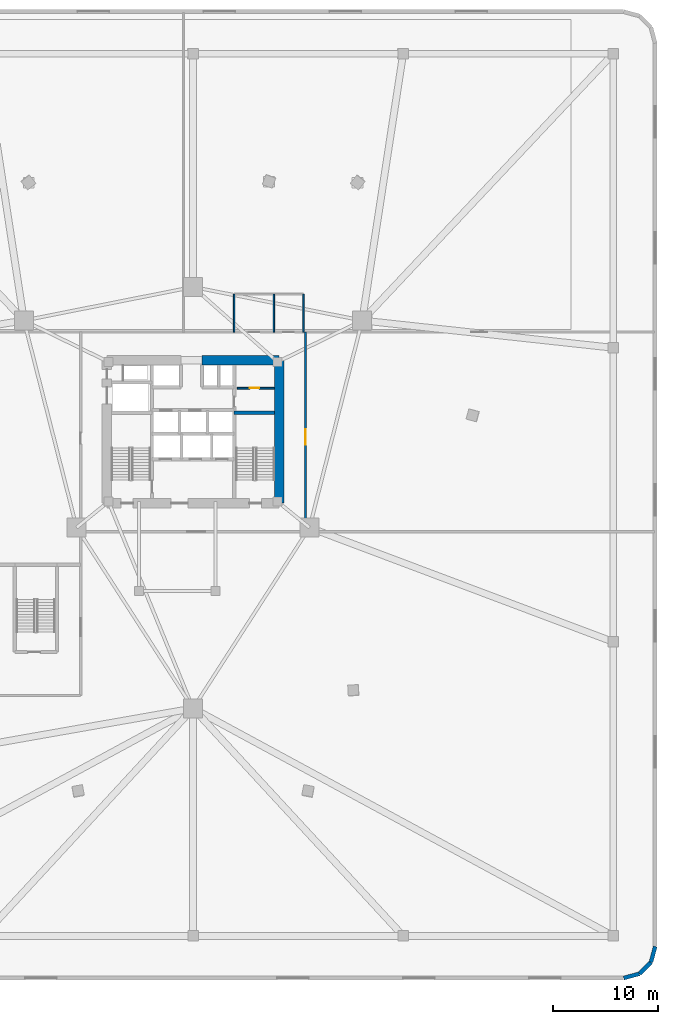
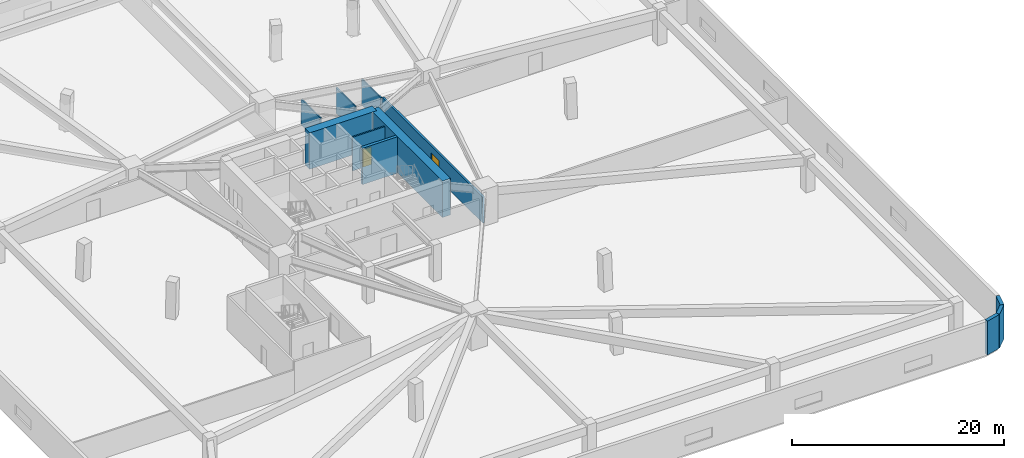
# One storey, part 7 of 10: 11 walls, 2 doors, 2 openings.
"""IFC4 building model written with IfcOpenShell, lengths in metres."""

from ifc_helpers import new_model, si_unit, direction, frame, frame_2d, origin, place, context, subcontext, project, spatial, rectangle, extrude, material, layer, layer_set, type_object, element, fill, save


model = new_model("IFC4")

# Units and contexts
model_context = context("Model", 3, precision=1e-05, world=origin(), true_north=direction((0.0, 1.0)))
body_context = subcontext(model_context, "Body", "Model", "MODEL_VIEW")
ifc_project = project(units=[si_unit("LENGTHUNIT", "METRE"), si_unit("AREAUNIT", "SQUARE_METRE"), si_unit("VOLUMEUNIT", "CUBIC_METRE"), si_unit("PLANEANGLEUNIT", "RADIAN"), si_unit("MASSUNIT", "GRAM", prefix="KILO")], contexts=[model_context])

# Site, building, storey
site_placement = place(None, origin())
site = spatial("IfcSite", under=ifc_project, at=site_placement, CompositionType="ELEMENT")
building_placement = place(site_placement, origin())
building = spatial("IfcBuilding", under=site, at=building_placement, Name="Talyreon Biosciences Tower", CompositionType="ELEMENT")
storey_placement = place(building_placement, frame((0.0, 0.0, 14.39990234375)))
storey = spatial("IfcBuildingStorey", under=building, at=storey_placement, Name="L03", CompositionType="ELEMENT", Elevation=14.39990234375)

# Walls
ifc_material_1 = material(Name="Concrete C50/60", Category="concrete")
ifc_layer_1 = layer(ifc_material_1, 0.320068359375)
ifc_layer_set_1 = layer_set([ifc_layer_1], Name="Concrete C50/60")
wall_type_1 = type_object("IfcWallType", Name="CoreShearWall_320", PredefinedType="SHEAR", material=ifc_layer_set_1)
wall_1_placement = place(storey_placement, frame((69.909912109375, 69.81005859375, 0.0), z_axis=(0.0, 0.0, 1.0), x_axis=(1.0, 0.0, 0.0)))
element("IfcWall", 1, at=wall_1_placement, inside=storey, type_object=wall_type_1, Name="L03 Core Shaft Wall SW2N", PredefinedType="SHEAR", context=body_context, shape_type="SweptSolid", body=[
    extrude(rectangle(XDim=3.840087890625, YDim=0.320068359375, at=frame_2d((1.919921875, 0.0))), origin(), (0.0, 0.0, 1.0), 4.2001953125),
])
ifc_material_2 = material(Name="Concrete C60/75", Category="concrete")
ifc_layer_2 = layer(ifc_material_2, 0.89990234375)
ifc_layer_set_2 = layer_set([ifc_layer_2], Name="Concrete C60/75")
wall_type_2 = type_object("IfcWallType", Name="CoreShearWall_900", PredefinedType="SHEAR", material=ifc_layer_set_2)
wall_2_placement = place(storey_placement, frame((74.199951171875, 61.199951171875, 0.0), z_axis=(0.0, 0.0, 1.0), x_axis=(0.0, 1.0, 0.0)))
element("IfcWall", 2, at=wall_2_placement, inside=storey, type_object=wall_type_2, Name="L03 Core Shear Wall E", PredefinedType="SHEAR", context=body_context, shape_type="SweptSolid", body=[
    extrude(rectangle(XDim=13.60009765625, YDim=0.89990234375, at=frame_2d((6.800048828125, 0.0))), origin(), (0.0, 0.0, 1.0), 4.2001953125),
])
wall_3_placement = place(storey_placement, frame((74.199951171875, 74.800048828125, 0.0), z_axis=(0.0, 0.0, 1.0), x_axis=(-1.0, 0.0, 0.0)))
element("IfcWall", 3, at=wall_3_placement, inside=storey, type_object=wall_type_2, Name="L03 Core Shear Wall NE", PredefinedType="SHEAR", context=body_context, shape_type="SweptSolid", body=[
    extrude(rectangle(XDim=7.349853515625, YDim=0.89990234375, at=frame_2d((3.6748046875, 0.0))), origin(), (0.0, 0.0, 1.0), 4.2001953125),
])

# Wall, opening, door
ifc_material_3 = material(Name="Gypsum fireboard acoustic stud", Category="gypsum")
ifc_layer_3 = layer(ifc_material_3, 0.219970703125)
ifc_layer_set_3 = layer_set([ifc_layer_3], Name="Gypsum fireboard acoustic stud")
wall_type_3 = type_object("IfcWallType", Name="CorridorRatedPartition_220", PredefinedType="PARTITIONING", material=ifc_layer_set_3)
wall_4_placement = place(storey_placement, frame((76.699951171875, 58.5, 0.0), z_axis=(0.0, 0.0, 1.0), x_axis=(0.0, 1.0, 0.0)))
wall_4 = element("IfcWall", 4, at=wall_4_placement, inside=storey, type_object=wall_type_3, Name="L03 Interior Wall IW-L03-E", PredefinedType="PARTITIONING", context=body_context, shape_type="SweptSolid", body=[
    extrude(rectangle(XDim=19.0, YDim=0.219970703125, at=frame_2d((9.5, 0.0))), origin(), (0.0, 0.0, 1.0), 2.97998046875),
])
opening_1_placement = place(wall_4_placement, frame((8.25, 0.0, 0.0)))
opening_1 = element("IfcOpeningElement", 5, at=opening_1_placement, cuts=wall_4, Name="Opening DR-L03-EW", PredefinedType="OPENING", context=body_context, shape_type="SweptSolid", body=[
    extrude(rectangle(XDim=1.5, YDim=2.199951171875, at=frame_2d((0.75, 1.10009765625))), frame((0.0, 0.119873046875, 0.0), z_axis=(0.0, -1.0, 0.0), x_axis=(1.0, 0.0, 0.0)), (0.0, 0.0, 1.0), 0.239990234375),
])
ifc_material_4 = material(Name="Vision-panel steel laboratory fire door", Category="steel")
door_type_1 = type_object("IfcDoorType", Name="WetLabDoubleLeafDoor_1500x2200", OperationType="DOUBLE_DOOR_SINGLE_SWING", PredefinedType="DOOR", material=ifc_material_4)
door_1_placement = place(opening_1_placement, origin())
door_1 = element("IfcDoor", 6, at=door_1_placement, inside=storey, type_object=door_type_1, Name="L03 Interior Door DR-L03-EW", OperationType="DOUBLE_DOOR_SINGLE_SWING", OverallHeight=2.199951171875, OverallWidth=1.5, PredefinedType="DOOR", context=body_context, shape_type="SweptSolid", body=[
    extrude(rectangle(XDim=1.5, YDim=2.199951171875, at=frame_2d((0.75, 1.10009765625))), frame((0.0, 0.02490234375, 0.0), z_axis=(0.0, -1.0, 0.0), x_axis=(1.0, 0.0, 0.0)), (0.0, 0.0, 1.0), 0.050048828125),
])
fill(opening_1, door_1)

ifc_material_5 = material(Name="Gypsum acoustic stud partition", Category="gypsum")
ifc_layer_4 = layer(ifc_material_5, 0.159912109375)
ifc_layer_set_4 = layer_set([ifc_layer_4], Name="Gypsum acoustic stud partition")
wall_type_4 = type_object("IfcWallType", Name="LabSeparationPartition_160", PredefinedType="PARTITIONING", material=ifc_layer_set_4)
wall_5_placement = place(storey_placement, frame((70.22998046875, 72.14990234375, 0.0), z_axis=(0.0, 0.0, 1.0), x_axis=(1.0, 0.0, 0.0)))
wall_5 = element("IfcWall", 7, at=wall_5_placement, inside=storey, type_object=wall_type_4, Name="L03 Interior Wall IW-L03-CSRV-H", PredefinedType="PARTITIONING", context=body_context, shape_type="SweptSolid", body=[
    extrude(rectangle(XDim=3.52001953125, YDim=0.159912109375, at=frame_2d((1.760009765625, 0.0))), origin(), (0.0, 0.0, 1.0), 3.900146484375),
])
opening_2_placement = place(wall_5_placement, frame((1.14990234375, 0.0, 0.0)))
opening_2 = element("IfcOpeningElement", 8, at=opening_2_placement, cuts=wall_5, Name="Opening DR-L03-CSRV-I", PredefinedType="OPENING", context=body_context, shape_type="SweptSolid", body=[
    extrude(rectangle(XDim=0.919921875, YDim=2.050048828125, at=frame_2d((0.4599609375, 1.02490234375))), frame((0.0, 0.08984375, 0.0), z_axis=(0.0, -1.0, 0.0), x_axis=(1.0, 0.0, 0.0)), (0.0, 0.0, 1.0), 0.179931640625),
])
ifc_material_6 = material(Name="Painted steel fire-rated riser door", Category="steel")
door_type_2 = type_object("IfcDoorType", Name="RiserPlantAccessDoor_920x2050", OperationType="NOTDEFINED", PredefinedType="DOOR", material=ifc_material_6)
door_2_placement = place(opening_2_placement, origin())
door_2 = element("IfcDoor", 9, at=door_2_placement, inside=storey, type_object=door_type_2, Name="L03 Interior Door DR-L03-CSRV-I", OperationType="SINGLE_SWING_LEFT", OverallHeight=2.050048828125, OverallWidth=0.919921875, PredefinedType="DOOR", context=body_context, shape_type="SweptSolid", body=[
    extrude(rectangle(XDim=0.919921875, YDim=2.050048828125, at=frame_2d((0.4599609375, 1.02490234375))), frame((0.0, 0.02490234375, 0.0), z_axis=(0.0, -1.0, 0.0), x_axis=(1.0, 0.0, 0.0)), (0.0, 0.0, 1.0), 0.050048828125),
])
fill(opening_2, door_2)

# Walls
ifc_material_7 = material(Name="Precast concrete C45/55", Category="concrete")
ifc_layer_5 = layer(ifc_material_7, 0.3798828125)
ifc_layer_set_5 = layer_set([ifc_layer_5], Name="Precast concrete C45/55")
wall_type_5 = type_object("IfcWallType", Name="PrecastConcretePodiumWall_380", PredefinedType="STANDARD", material=ifc_layer_set_5)
for number, where, z_axis, x_axis, name in (
    (10, (110.0, 19.0, 0.0), (0.0, 0.0, 1.0), (-0.258777996848, -0.965936824201, 0.0), "L03 Podium Concrete Frame Wall 14"),
    (11, (109.59814453125, 17.5, 0.0), (0.0, 0.0, 1.0), (-0.707106781187, -0.707106781187, 0.0), "L03 Podium Concrete Frame Wall 15"),
    (12, (108.5, 16.40185546875, 0.0), (0.0, 0.0, 1.0), (-0.965936824201, -0.258777996848, 0.0), "L03 Podium Concrete Frame Wall 16"),
):
    element("IfcWall", number, at=place(storey_placement, frame(where, z_axis=z_axis, x_axis=x_axis)), inside=storey, type_object=wall_type_5, Name=name, PredefinedType="STANDARD", context=body_context, shape_type="SweptSolid", body=[
        extrude(rectangle(XDim=1.552978515625, YDim=0.3798828125, at=frame_2d((0.7763671875, 0.0))), origin(), (0.0, 0.0, 1.0), 3.900146484375),
    ])
ifc_material_8 = material(Name="Moisture-resistant cement-board stud", Category="gypsum")
ifc_layer_6 = layer(ifc_material_8, 0.14501953125)
ifc_layer_set_6 = layer_set([ifc_layer_6], Name="Moisture-resistant cement-board stud")
wall_type_6 = type_object("IfcWallType", Name="WetRoomPartition_145", PredefinedType="PARTITIONING", material=ifc_layer_set_6)
for number, where, z_axis, x_axis, name in (
    (13, (69.89990234375, 77.5, 0.0), (0.0, 0.0, 1.0), (0.0, 1.0, 0.0), "L03 Interior Wall IW-L03-WCW"),
    (14, (73.699951171875, 77.5, 0.0), (0.0, 0.0, 1.0), (0.0, 1.0, 0.0), "L03 Interior Wall IW-L03-WCM"),
    (15, (76.5, 77.5, 0.0), (0.0, 0.0, 1.0), (0.0, 1.0, 0.0), "L03 Interior Wall IW-L03-WCE"),
):
    element("IfcWall", number, at=place(storey_placement, frame(where, z_axis=z_axis, x_axis=x_axis)), inside=storey, type_object=wall_type_6, Name=name, PredefinedType="PARTITIONING", context=body_context, shape_type="SweptSolid", body=[
        extrude(rectangle(XDim=3.60009765625, YDim=0.14501953125, at=frame_2d((1.800048828125, 0.0))), origin(), (0.0, 0.0, 1.0), 2.97998046875),
    ])

save(model, "model.ifc")
